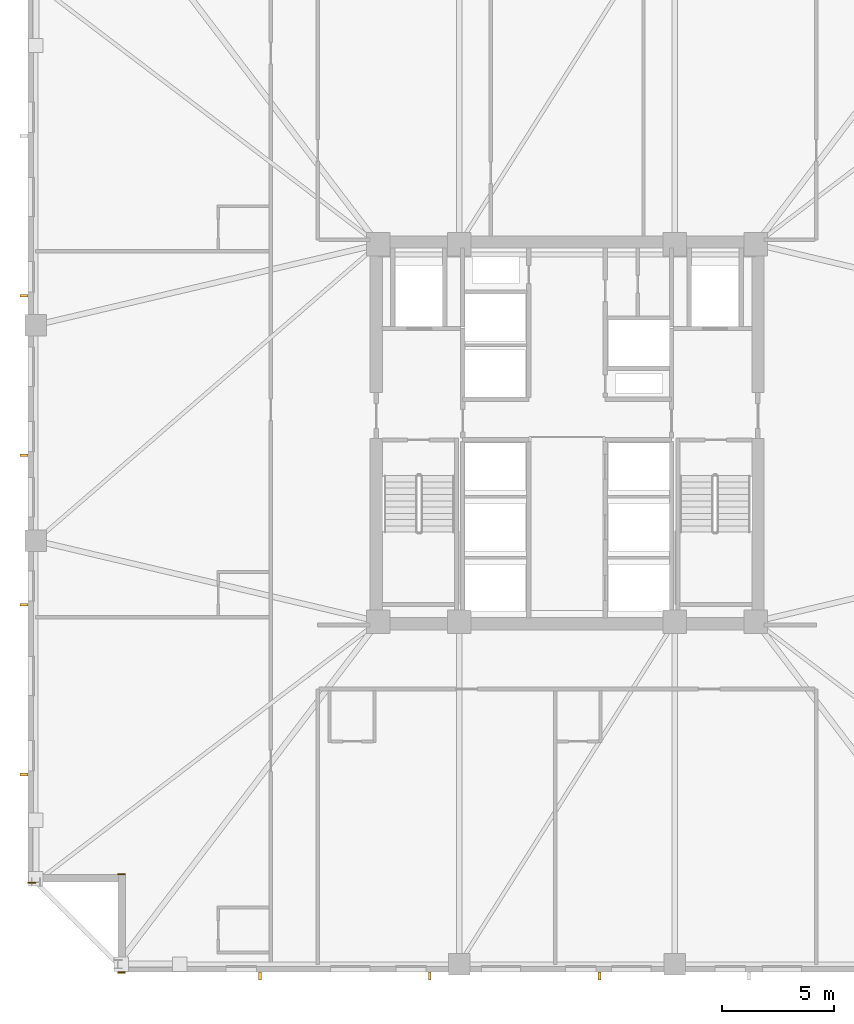
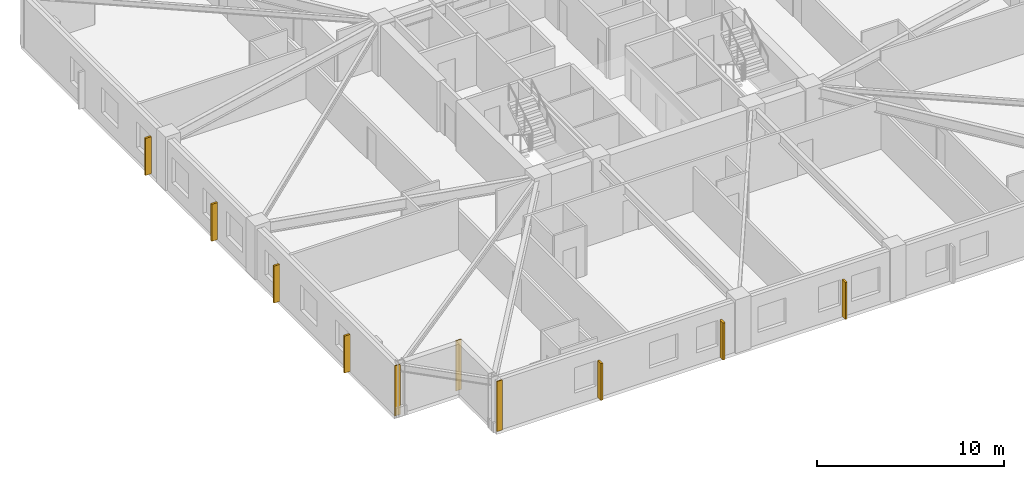
# One storey, part 7 of 11: 7 shading devices, 3 coverings.
"""IFC4 building model written with IfcOpenShell, lengths in metres."""

from ifc_helpers import new_model, si_unit, direction, frame, frame_2d, origin, origin_2d, place, context, subcontext, project, spatial, rectangle, extrude, material, layer, layer_set, type_object, element, save


model = new_model("IFC4")

# Units and contexts
model_context = context("Model", 3, precision=1e-05, world=origin(), true_north=direction((0.0, 1.0)))
body_context = subcontext(model_context, "Body", "Model", "MODEL_VIEW")
ifc_project = project(units=[si_unit("LENGTHUNIT", "METRE"), si_unit("AREAUNIT", "SQUARE_METRE"), si_unit("VOLUMEUNIT", "CUBIC_METRE"), si_unit("PLANEANGLEUNIT", "RADIAN"), si_unit("MASSUNIT", "GRAM", prefix="KILO")], contexts=[model_context])

# Site, building, storey
site_placement = place(None, origin())
site = spatial("IfcSite", under=ifc_project, at=site_placement, CompositionType="ELEMENT")
building_placement = place(site_placement, origin())
building = spatial("IfcBuilding", under=site, at=building_placement, Name="Cairnveth Concourse Tower", CompositionType="ELEMENT")
storey_placement = place(building_placement, frame((0.0, 0.0, 106.0)))
storey = spatial("IfcBuildingStorey", under=building, at=storey_placement, Name="L28", CompositionType="ELEMENT", Elevation=106.0)

# Coverings
ifc_material_1 = material(Name="Dressed Melbourne Bluestone Cladding", Category="masonry")
ifc_layer = layer(ifc_material_1, 0.050048828125)
ifc_layer_set = layer_set([ifc_layer], Name="Dressed Melbourne Bluestone Cladding")
covering_type = type_object("IfcCoveringType", Name="DRESSED BLUESTONE PLINTH CLADDING 50", PredefinedType="CLADDING", material=ifc_layer_set)
for number, where, z_axis, x_axis, name in (
    (1, (32.340087890625, 14.97998046875, 0.0), (0.0, 0.0, 1.0), (-1.0, 0.0, 0.0), "Melbourne Bluestone Corner Quoin L28-394"),
    (2, (32.340087890625, 19.360107421875, 0.0), (0.0, 0.0, 1.0), (-1.0, 0.0, 0.0), "Melbourne Bluestone Corner Quoin L28-395"),
    (3, (28.340087890625, 18.97998046875, 0.0), (0.0, 0.0, 1.0), (-1.0, 0.0, 0.0), "Melbourne Bluestone Corner Quoin L28-396"),
):
    element("IfcCovering", number, at=place(storey_placement, frame(where, z_axis=z_axis, x_axis=x_axis)), inside=storey, type_object=covering_type, Name=name, PredefinedType="CLADDING", context=body_context, shape_type="SweptSolid", body=[
        extrude(rectangle(XDim=0.340087890625, YDim=0.050048828125, at=frame_2d((0.169921875, 0.0))), origin(), (0.0, 0.0, 1.0), 3.280029296875),
    ])

# Shading devices
ifc_material_2 = material(Name="Architectural Bronze Anodised Aluminium 6063-T6", Category="aluminium")
shading_device_type = type_object("IfcShadingDeviceType", Name="GOTHIC BRONZE VERTICAL LANCET FIN", PredefinedType="USERDEFINED", material=ifc_material_2)
for number, where, z_axis, x_axis, name in (
    (4, (53.444091796875, 14.824951171875, 0.030029296875), (0.0, 0.0, 1.0), (1.0, 0.0, 0.0), "Gothic Bronze Vertical Fin L28-6-5"),
    (5, (45.886962890625, 14.824951171875, 0.030029296875), (0.0, 0.0, 1.0), (1.0, 0.0, 0.0), "Gothic Bronze Vertical Fin L28-6-7"),
    (6, (38.329833984375, 14.824951171875, 0.030029296875), (0.0, 0.0, 1.0), (1.0, 0.0, 0.0), "Gothic Bronze Vertical Fin L28-6-9"),
    (7, (27.824951171875, 23.791748046875, 0.030029296875), (0.0, 0.0, 1.0), (0.0, 1.0, 0.0), "Gothic Bronze Vertical Fin L28-9-1"),
    (8, (27.824951171875, 31.348876953125, 0.030029296875), (0.0, 0.0, 1.0), (0.0, 1.0, 0.0), "Gothic Bronze Vertical Fin L28-9-3"),
    (9, (27.824951171875, 38.006103515625, 0.030029296875), (0.0, 0.0, 1.0), (0.0, 1.0, 0.0), "Gothic Bronze Vertical Fin L28-9-5"),
    (10, (27.824951171875, 45.113037109375, 0.030029296875), (0.0, 0.0, 1.0), (0.0, 1.0, 0.0), "Gothic Bronze Vertical Fin L28-9-7"),
):
    element("IfcShadingDevice", number, at=place(storey_placement, frame(where, z_axis=z_axis, x_axis=x_axis)), inside=storey, type_object=shading_device_type, Name=name, ObjectType="VERTICAL FIN", PredefinedType="USERDEFINED", context=body_context, shape_type="SweptSolid", body=[
        extrude(rectangle(XDim=0.1201171875, YDim=0.360107421875, at=origin_2d()), origin(), (0.0, 0.0, 1.0), 2.419921875),
    ])

save(model, "model.ifc")
